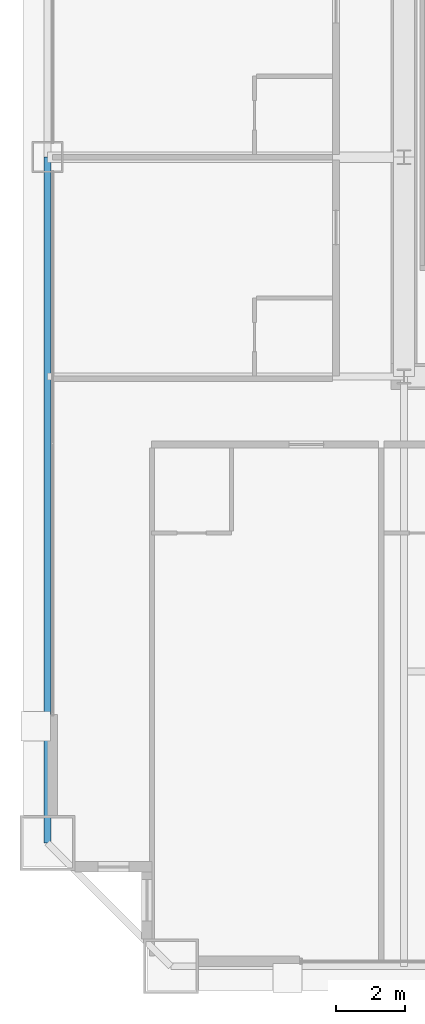
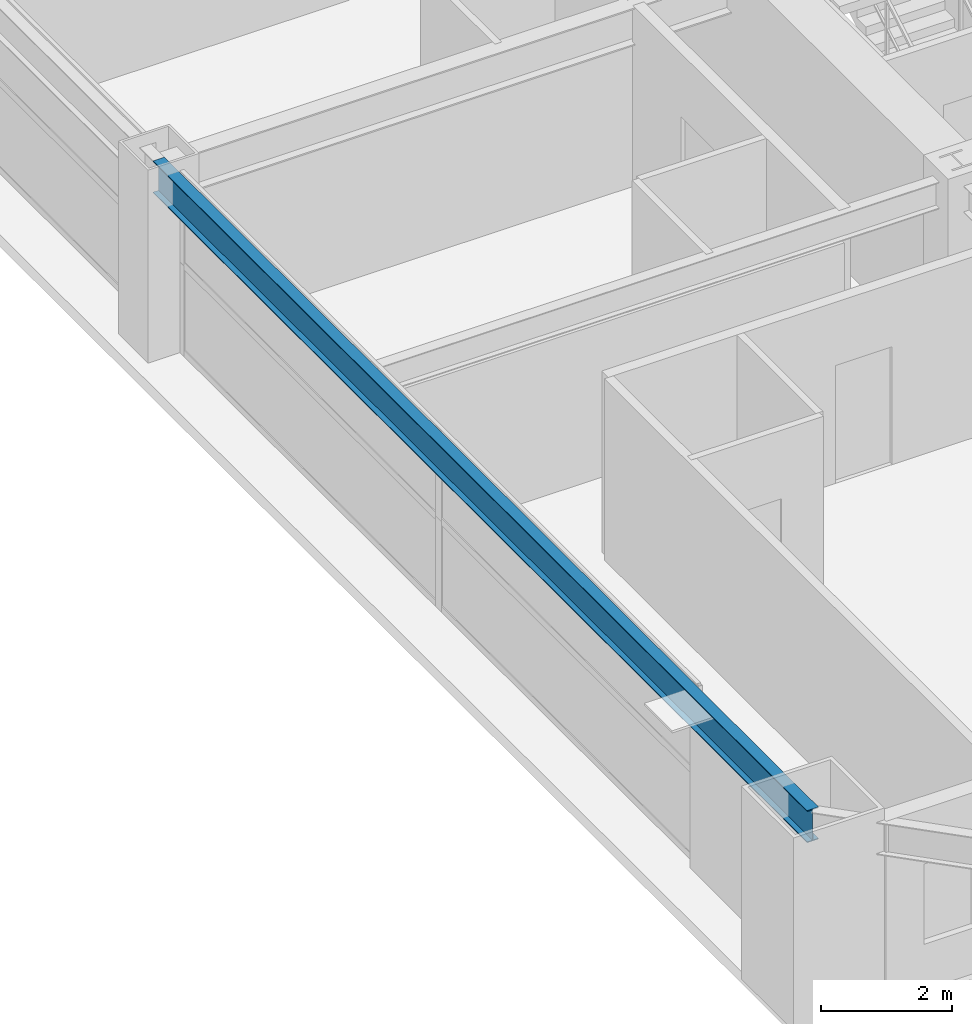
# One storey, part 6 of 38: 1 beam.
"""IFC4 building model written with IfcOpenShell, lengths in metres."""

from ifc_helpers import new_model, si_unit, direction, frame, origin, origin_2d, place, context, subcontext, project, spatial, i_section, extrude, source, transform, mapped, material, material_profile, profile_set, type_object, element, save


model = new_model("IFC4")

# Units and contexts
model_context = context("Model", 3, precision=1e-05, world=origin(), true_north=direction((0.0, 1.0)))
body_context = subcontext(model_context, "Body", "Model", "MODEL_VIEW")
ifc_project = project(units=[si_unit("LENGTHUNIT", "METRE"), si_unit("AREAUNIT", "SQUARE_METRE"), si_unit("VOLUMEUNIT", "CUBIC_METRE"), si_unit("PLANEANGLEUNIT", "RADIAN"), si_unit("MASSUNIT", "GRAM", prefix="KILO"), si_unit("THERMODYNAMICTEMPERATUREUNIT", "KELVIN"), si_unit("POWERUNIT", "WATT")], contexts=[model_context])

# Site, building, storey
site_placement = place(None, origin())
site = spatial("IfcSite", under=ifc_project, at=site_placement, CompositionType="ELEMENT")
building_placement = place(site_placement, origin())
building = spatial("IfcBuilding", under=site, at=building_placement, Name="Yuzanri Waterfront Tower", CompositionType="ELEMENT")
storey_placement = place(building_placement, frame((0.0, 0.0, 97.39990234375)))
storey = spatial("IfcBuildingStorey", under=building, at=storey_placement, Name="L25", CompositionType="ELEMENT", Elevation=97.39990234375)

# Beam
ifc_material = material(Name="Steel Q355B", Category="steel")
ifc_material_profile = material_profile(ifc_material, i_section(OverallWidth=0.199951171875, OverallDepth=0.60009765625, WebThickness=0.010986328125, FlangeThickness=0.01708984375, at=origin_2d()), Name="HN 600x200x11x17")
ifc_profile_set = profile_set([ifc_material_profile], Name="Steel Q355B")
beam_type = type_object("IfcBeamType", Name="Perimeter Spandrel Q355B HN 600x200", PredefinedType="SPANDREL", material=ifc_profile_set)
shared_shape = source(origin(), body_context, "Body", "SweptSolid", [
    extrude(i_section(OverallWidth=0.199951171875, OverallDepth=0.60009765625, WebThickness=0.010986328125, FlangeThickness=0.01708984375, at=origin_2d()), origin(), (0.0, 0.0, 1.0), 20.0),
])
beam_placement = place(storey_placement, frame((13.39990234375, 25.800048828125, 3.080078125), z_axis=(0.0, -1.0, 0.0), x_axis=(1.0, 0.0, 0.0)))
element("IfcBeam", 1, at=beam_placement, inside=storey, type_object=beam_type, Name="L25 Perimeter Spandrel W2-W1", PredefinedType="SPANDREL", context=body_context, shape_type="MappedRepresentation", body=[
    mapped(shared_shape, transform((0.0, 0.0, 0.0), scale=1.0)),
])

save(model, "model.ifc")
